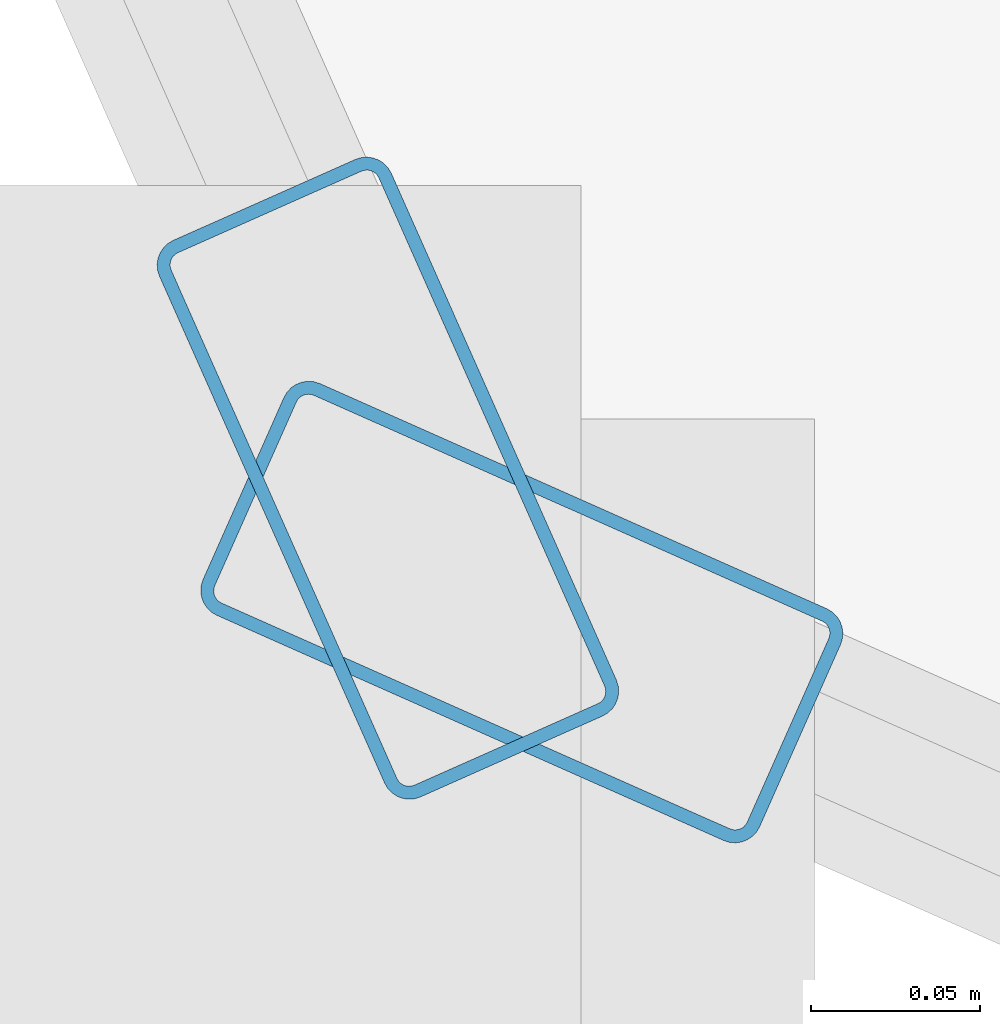
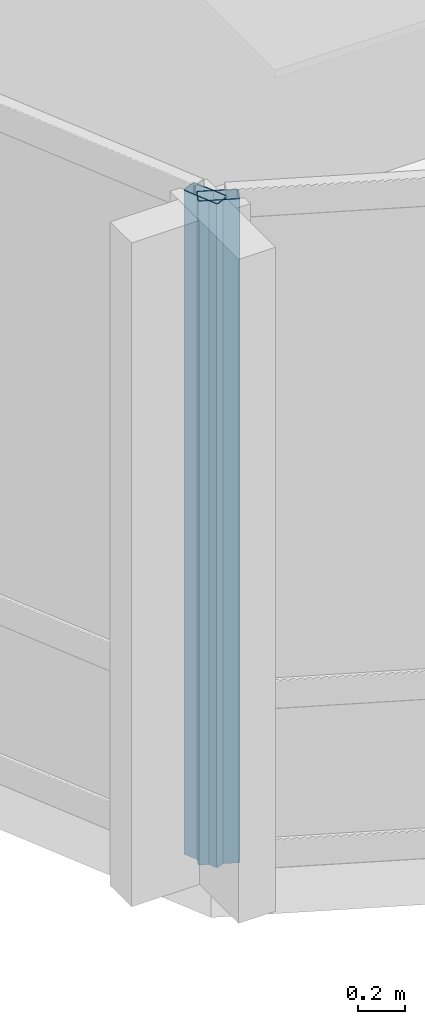
# One storey, part 2 of 28: 2 members, 2 elements without a shape of their own.
"""IFC4 building model written with IfcOpenShell, lengths in metres."""

from ifc_helpers import new_model, si_unit, direction, frame, origin, origin_2d, place, context, subcontext, project, spatial, hollow_rectangle, extrude, material, layer, layer_set, material_profile, profile_set, type_object, element, aggregate, save


model = new_model("IFC4")

# Units and contexts
model_context = context("Model", 3, precision=1e-05, world=origin(), true_north=direction((0.0, 1.0)))
body_context = subcontext(model_context, "Body", "Model", "MODEL_VIEW")
ifc_project = project(units=[si_unit("LENGTHUNIT", "METRE"), si_unit("AREAUNIT", "SQUARE_METRE"), si_unit("VOLUMEUNIT", "CUBIC_METRE"), si_unit("PLANEANGLEUNIT", "RADIAN"), si_unit("MASSUNIT", "GRAM", prefix="KILO")], contexts=[model_context])

# Site, building, storey
site_placement = place(None, origin())
site = spatial("IfcSite", under=ifc_project, at=site_placement, CompositionType="ELEMENT")
building_placement = place(site_placement, origin())
building = spatial("IfcBuilding", under=site, at=building_placement, Name="Solvaryn Broadcast Tower", CompositionType="ELEMENT")
storey_placement = place(building_placement, frame((0.0, 0.0, 132.199951171875)))
storey = spatial("IfcBuildingStorey", under=building, at=storey_placement, Name="L32", CompositionType="ELEMENT", Elevation=132.199951171875)

# Curtain wall, member
ifc_material_1 = material(Name="Aluminium and Terracotta Unitised Curtain Wall", Category="masonry")
ifc_layer = layer(ifc_material_1, 0.199951171875)
ifc_layer_set = layer_set([ifc_layer], Name="CW-SYS2-LOWMID")
curtain_wall_type = type_object("IfcCurtainWallType", Name="CW-SYS2-LOWMID", PredefinedType="NOTDEFINED", material=ifc_layer_set)
curtain_wall_1_placement = place(storey_placement, origin())
curtain_wall_1 = element("IfcCurtainWall", 1, at=curtain_wall_1_placement, inside=storey, type_object=curtain_wall_type, Name="L32 Curtain Wall DR2", PredefinedType="NOTDEFINED")
ifc_material_2 = material(Name="Anodised Aluminium 6063-T6", Category="aluminium")
ifc_material_profile = material_profile(ifc_material_2, hollow_rectangle(XDim=0.074951171875, YDim=0.179931640625, WallThickness=0.00390625, InnerFilletRadius=0.00390625, OuterFilletRadius=0.008056640625, at=origin_2d()))
ifc_profile_set = profile_set([ifc_material_profile], Name="Anodised Aluminium 6063-T6")
member_type = type_object("IfcMemberType", Name="CW-MUL-180", PredefinedType="MULLION", material=ifc_profile_set)
member_1_placement = place(storey_placement, frame((8.895751953125, 8.935302734375, 0.0), z_axis=(0.0, 0.0, 1.0), x_axis=(0.913909311008, 0.405918429309, 0.0)))
member_1 = element("IfcMember", 2, at=member_1_placement, type_object=member_type, Name="CWS2 mullion 2", PredefinedType="MULLION", context=body_context, shape_type="SweptSolid", body=[
    extrude(hollow_rectangle(XDim=0.074951171875, YDim=0.179931640625, WallThickness=0.00390625, InnerFilletRadius=0.00390625, OuterFilletRadius=0.008056640625, at=origin_2d()), origin(), (0.0, 0.0, 1.0), 3.420166015625),
])
aggregate(curtain_wall_1, [member_1])

curtain_wall_2_placement = place(storey_placement, origin())
curtain_wall_2 = element("IfcCurtainWall", 3, at=curtain_wall_2_placement, inside=storey, type_object=curtain_wall_type, Name="L32 Curtain Wall DR3", PredefinedType="NOTDEFINED")
member_2_placement = place(storey_placement, frame((8.935302734375, 8.895751953125, 0.0), z_axis=(0.0, 0.0, 1.0), x_axis=(0.405918429309, 0.913909311008, 0.0)))
member_2 = element("IfcMember", 4, at=member_2_placement, type_object=member_type, Name="CWS2 mullion 1", PredefinedType="MULLION", context=body_context, shape_type="SweptSolid", body=[
    extrude(hollow_rectangle(XDim=0.074951171875, YDim=0.179931640625, WallThickness=0.00390625, InnerFilletRadius=0.00390625, OuterFilletRadius=0.008056640625, at=origin_2d()), origin(), (0.0, 0.0, 1.0), 3.420166015625),
])
aggregate(curtain_wall_2, [member_2])

save(model, "model.ifc")
